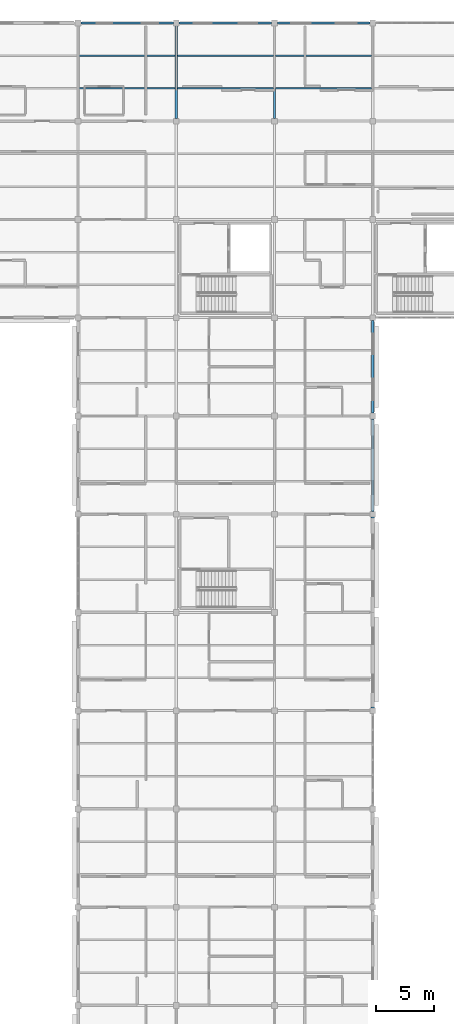
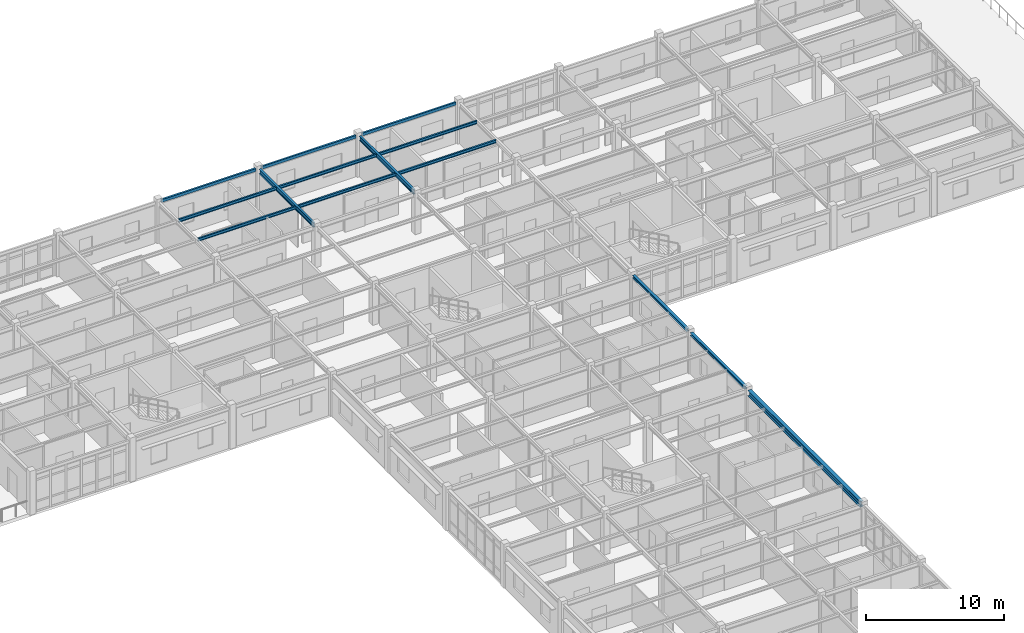
# One storey, part 19 of 53: 14 beams.
"""IFC4 building model written with IfcOpenShell, lengths in metres."""

from ifc_helpers import new_model, si_unit, direction, frame, origin, origin_2d, place, context, subcontext, project, spatial, hollow_rectangle, i_section, extrude, material, material_profile, profile_set, type_object, element, save


model = new_model("IFC4")

# Units and contexts
model_context = context("Model", 3, precision=1e-05, world=origin(), true_north=direction((0.0, 1.0)))
body_context = subcontext(model_context, "Body", "Model", "MODEL_VIEW")
ifc_project = project(units=[si_unit("LENGTHUNIT", "METRE"), si_unit("AREAUNIT", "SQUARE_METRE"), si_unit("VOLUMEUNIT", "CUBIC_METRE"), si_unit("PLANEANGLEUNIT", "RADIAN"), si_unit("MASSUNIT", "GRAM", prefix="KILO")], contexts=[model_context])

# Site, building, storey
site_placement = place(None, origin())
site = spatial("IfcSite", under=ifc_project, at=site_placement, CompositionType="ELEMENT")
building_placement = place(site_placement, origin())
building = spatial("IfcBuilding", under=site, at=building_placement, Name="Bramfleet General Hospital", CompositionType="ELEMENT")
storey_placement = place(building_placement, frame((0.0, 0.0, 26.39990234375)))
storey = spatial("IfcBuildingStorey", under=building, at=storey_placement, Name="L06", CompositionType="ELEMENT", Elevation=26.39990234375)

# Beams
ifc_material = material(Name="Steel S355", Category="steel")
ifc_material_profile_1 = material_profile(ifc_material, i_section(OverallWidth=0.239990234375, OverallDepth=0.22998046875, WebThickness=0.007568359375, FlangeThickness=0.011962890625, FilletRadius=0.02099609375, at=origin_2d()), Name="HEA 240")
ifc_profile_set_1 = profile_set([ifc_material_profile_1], Name="Steel S355")
beam_type_1 = type_object("IfcBeamType", Name="BM-HEA240", PredefinedType="SPANDREL", material=ifc_profile_set_1)
for number, where, z_axis, x_axis, name in (
    (1, (117.60009765625, 75.85009765625, 3.505126953125), (0.0, 1.0, 0.0), (-1.0, 0.0, 0.0), "L06 Grid Beam Y 14-09"),
    (2, (117.60009765625, 84.25, 3.505126953125), (0.0, 1.0, 0.0), (-1.0, 0.0, 0.0), "L06 Grid Beam Y 14-10"),
):
    element("IfcBeam", number, at=place(storey_placement, frame(where, z_axis=z_axis, x_axis=x_axis)), inside=storey, type_object=beam_type_1, Name=name, PredefinedType="SPANDREL", context=body_context, shape_type="SweptSolid", body=[
        extrude(i_section(OverallWidth=0.239990234375, OverallDepth=0.22998046875, WebThickness=0.007568359375, FlangeThickness=0.011962890625, FilletRadius=0.02099609375, at=origin_2d()), origin(), (0.0, 0.0, 1.0), 7.89990234375),
    ])
ifc_material_profile_2 = material_profile(ifc_material, i_section(OverallWidth=0.300048828125, OverallDepth=0.5, WebThickness=0.014404296875, FlangeThickness=0.028076171875, FilletRadius=0.027099609375, at=origin_2d()), Name="HEB 500")
ifc_profile_set_2 = profile_set([ifc_material_profile_2], Name="Steel S355")
beam_type_2 = type_object("IfcBeamType", Name="BM-HEB500", PredefinedType="BEAM", material=ifc_profile_set_2)
beam_1_placement = place(storey_placement, frame((117.60009765625, 59.050048828125, 3.3701171875), z_axis=(0.0, 1.0, 0.0), x_axis=(-1.0, 0.0, 0.0)))
element("IfcBeam", 3, at=beam_1_placement, inside=storey, type_object=beam_type_2, Name="L06 Long-Span Edge Girder Y 14-07..09", PredefinedType="BEAM", context=body_context, shape_type="SweptSolid", body=[
    extrude(i_section(OverallWidth=0.300048828125, OverallDepth=0.5, WebThickness=0.014404296875, FlangeThickness=0.028076171875, FilletRadius=0.027099609375, at=origin_2d()), origin(), (0.0, 0.0, 1.0), 16.300048828125),
])
ifc_material_profile_3 = material_profile(ifc_material, i_section(OverallWidth=0.135009765625, OverallDepth=0.27001953125, WebThickness=0.006591796875, FlangeThickness=0.01025390625, FilletRadius=0.014892578125, at=origin_2d()), Name="IPE 270")
ifc_profile_set_3 = profile_set([ifc_material_profile_3], Name="Steel S355")
beam_type_3 = type_object("IfcBeamType", Name="BM-IPE270", PredefinedType="JOIST", material=ifc_profile_set_3)
for number, where, z_axis, x_axis, name in (
    (4, (92.489990234375, 112.0, 3.485107421875), (1.0, 0.0, 0.0), (0.0, 1.0, 0.0), "L06 Secondary Joist 11-13-1"),
    (5, (92.489990234375, 114.800048828125, 3.485107421875), (1.0, 0.0, 0.0), (0.0, 1.0, 0.0), "L06 Secondary Joist 11-13-2"),
):
    element("IfcBeam", number, at=place(storey_placement, frame(where, z_axis=z_axis, x_axis=x_axis)), inside=storey, type_object=beam_type_3, Name=name, PredefinedType="JOIST", context=body_context, shape_type="SweptSolid", body=[
        extrude(i_section(OverallWidth=0.135009765625, OverallDepth=0.27001953125, WebThickness=0.006591796875, FlangeThickness=0.01025390625, FilletRadius=0.014892578125, at=origin_2d()), origin(), (0.0, 0.0, 1.0), 8.219970703125),
    ])
for number, where, z_axis, x_axis, name in (
    (6, (100.889892578125, 112.0, 3.485107421875), (1.0, 0.0, 0.0), (0.0, 1.0, 0.0), "L06 Secondary Joist 12-13-1"),
    (7, (100.889892578125, 114.800048828125, 3.485107421875), (1.0, 0.0, 0.0), (0.0, 1.0, 0.0), "L06 Secondary Joist 12-13-2"),
):
    element("IfcBeam", number, at=place(storey_placement, frame(where, z_axis=z_axis, x_axis=x_axis)), inside=storey, type_object=beam_type_3, Name=name, PredefinedType="JOIST", context=body_context, shape_type="SweptSolid", body=[
        extrude(i_section(OverallWidth=0.135009765625, OverallDepth=0.27001953125, WebThickness=0.006591796875, FlangeThickness=0.01025390625, FilletRadius=0.014892578125, at=origin_2d()), origin(), (0.0, 0.0, 1.0), 8.22021484375),
    ])
for number, where, z_axis, x_axis, name in (
    (8, (109.2900390625, 112.0, 3.485107421875), (1.0, 0.0, 0.0), (0.0, 1.0, 0.0), "L06 Secondary Joist 13-13-1"),
    (9, (109.2900390625, 114.800048828125, 3.485107421875), (1.0, 0.0, 0.0), (0.0, 1.0, 0.0), "L06 Secondary Joist 13-13-2"),
):
    element("IfcBeam", number, at=place(storey_placement, frame(where, z_axis=z_axis, x_axis=x_axis)), inside=storey, type_object=beam_type_3, Name=name, PredefinedType="JOIST", context=body_context, shape_type="SweptSolid", body=[
        extrude(i_section(OverallWidth=0.135009765625, OverallDepth=0.27001953125, WebThickness=0.006591796875, FlangeThickness=0.01025390625, FilletRadius=0.014892578125, at=origin_2d()), origin(), (0.0, 0.0, 1.0), 8.219970703125),
    ])
ifc_material_profile_4 = material_profile(ifc_material, i_section(OverallWidth=0.179931640625, OverallDepth=0.39990234375, WebThickness=0.008544921875, FlangeThickness=0.013427734375, FilletRadius=0.02099609375, at=origin_2d()), Name="IPE 400")
ifc_profile_set_4 = profile_set([ifc_material_profile_4], Name="Steel S355")
beam_type_4 = type_object("IfcBeamType", Name="BM-IPE400", PredefinedType="BEAM", material=ifc_profile_set_4)
for number, where, z_axis, x_axis, name in (
    (10, (100.800048828125, 109.449951171875, 3.420166015625), (0.0, 1.0, 0.0), (-1.0, 0.0, 0.0), "L06 Grid Beam Y 12-13"),
    (11, (109.199951171875, 109.449951171875, 3.420166015625), (0.0, 1.0, 0.0), (-1.0, 0.0, 0.0), "L06 Grid Beam Y 13-13"),
):
    element("IfcBeam", number, at=place(storey_placement, frame(where, z_axis=z_axis, x_axis=x_axis)), inside=storey, type_object=beam_type_4, Name=name, PredefinedType="BEAM", context=body_context, shape_type="SweptSolid", body=[
        extrude(i_section(OverallWidth=0.179931640625, OverallDepth=0.39990234375, WebThickness=0.008544921875, FlangeThickness=0.013427734375, FilletRadius=0.02099609375, at=origin_2d()), origin(), (0.0, 0.0, 1.0), 7.900146484375),
    ])
ifc_material_profile_5 = material_profile(ifc_material, hollow_rectangle(XDim=0.14990234375, YDim=0.25, WallThickness=0.010009765625, at=origin_2d()), Name="RHS 250x150x10.0")
ifc_profile_set_5 = profile_set([ifc_material_profile_5], Name="Steel S355")
beam_type_5 = type_object("IfcBeamType", Name="BM-RHS250", PredefinedType="SPANDREL", material=ifc_profile_set_5)
beam_2_placement = place(storey_placement, frame((92.64990234375, 117.60009765625, 3.4951171875), z_axis=(1.0, 0.0, 0.0), x_axis=(0.0, 1.0, 0.0)))
element("IfcBeam", 12, at=beam_2_placement, inside=storey, type_object=beam_type_5, Name="L06 Grid Beam X 11-14", PredefinedType="SPANDREL", context=body_context, shape_type="SweptSolid", body=[
    extrude(hollow_rectangle(XDim=0.14990234375, YDim=0.25, WallThickness=0.010009765625, at=origin_2d()), origin(), (0.0, 0.0, 1.0), 7.900146484375),
])
beam_3_placement = place(storey_placement, frame((101.050048828125, 117.60009765625, 3.4951171875), z_axis=(1.0, 0.0, 0.0), x_axis=(0.0, 1.0, 0.0)))
element("IfcBeam", 13, at=beam_3_placement, inside=storey, type_object=beam_type_5, Name="L06 Grid Beam X 12-14", PredefinedType="SPANDREL", context=body_context, shape_type="SweptSolid", body=[
    extrude(hollow_rectangle(XDim=0.14990234375, YDim=0.25, WallThickness=0.010009765625, at=origin_2d()), origin(), (0.0, 0.0, 1.0), 7.89990234375),
])
beam_4_placement = place(storey_placement, frame((109.449951171875, 117.60009765625, 3.4951171875), z_axis=(1.0, 0.0, 0.0), x_axis=(0.0, 1.0, 0.0)))
element("IfcBeam", 14, at=beam_4_placement, inside=storey, type_object=beam_type_5, Name="L06 Grid Beam X 13-14", PredefinedType="SPANDREL", context=body_context, shape_type="SweptSolid", body=[
    extrude(hollow_rectangle(XDim=0.14990234375, YDim=0.25, WallThickness=0.010009765625, at=origin_2d()), origin(), (0.0, 0.0, 1.0), 7.900146484375),
])

save(model, "model.ifc")
